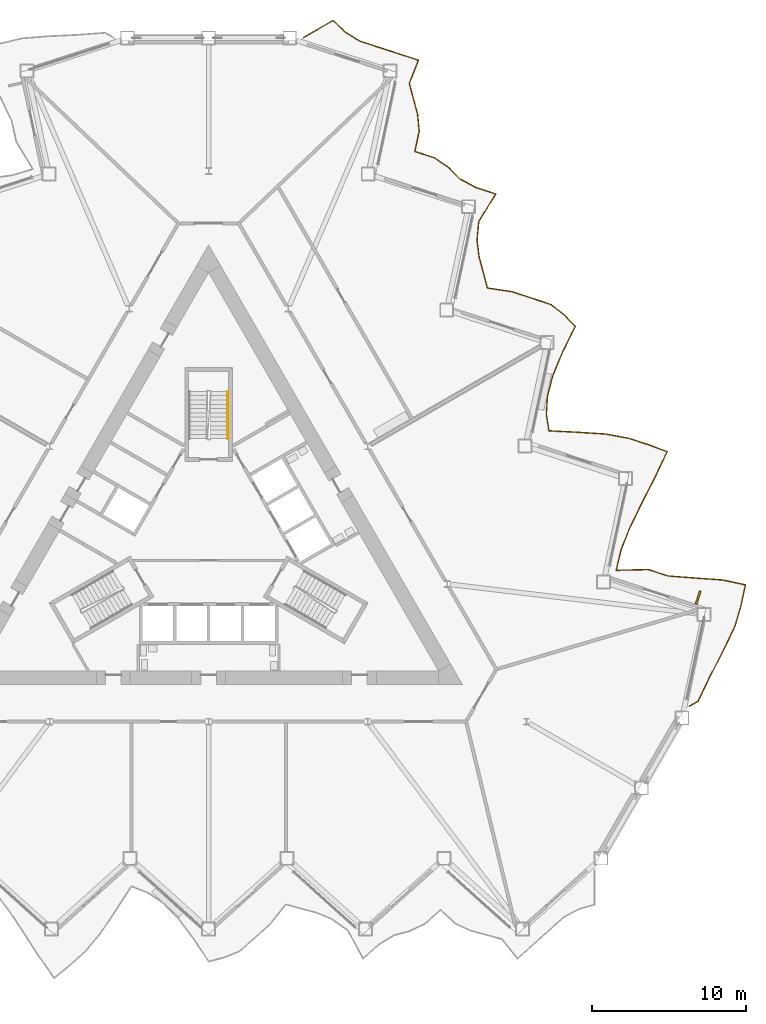
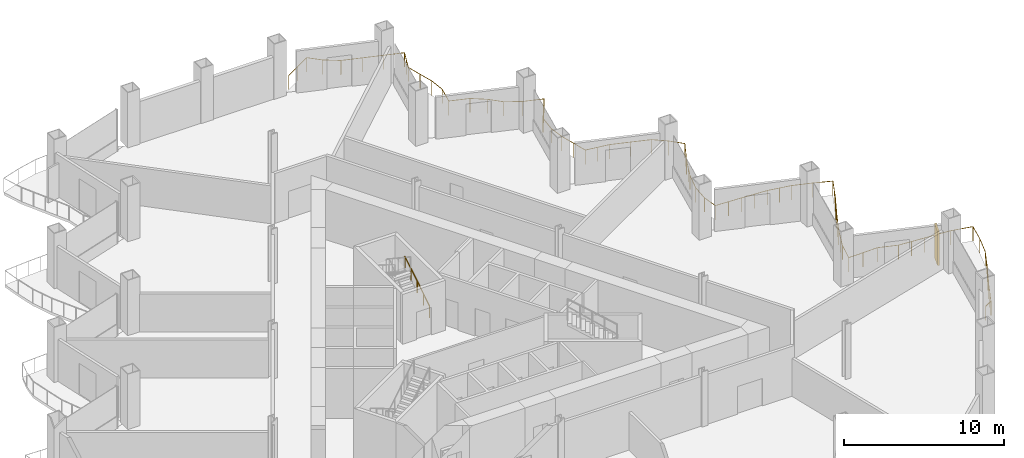
# One storey, part 19 of 21: 2 railings, 1 shading device.
"""IFC4 building model written with IfcOpenShell, lengths in metres."""

import ifcopenshell
import ifcopenshell.guid

model = None  # the IFC model being written
_history = None  # IfcOwnerHistory: only IFC2X3 demands one
_inside = {}  # id of a spatial element -> (the spatial element, [elements in it])
_under = {}  # id of a project, library or spatial element -> (it, [spatial elements below it])
_declared = {}  # id of a project -> (the project, [libraries it declares])
_typed = {}  # id of a type object -> (the type object, [elements of that type])
_made_of = {}  # id of a material, layer set ... -> (it, [elements and type objects made of it])


def new_model(schema):
    """Start an empty IFC model of exactly this schema.

    Asked for "IFC4X3", IfcOpenShell would pick the latest addendum, in which some entities
    have other attributes; the version numbers below select the first issue.
    IFC2X3 requires an IfcOwnerHistory on every rooted entity: one is made here for all.
    """
    global model, _history
    if schema == "IFC4X3":
        model = ifcopenshell.file(schema_version=(4, 3, 0, 0))
    else:
        model = ifcopenshell.file(schema=schema)
    _inside.clear()
    _under.clear()
    _declared.clear()
    _typed.clear()
    _made_of.clear()
    _history = None
    if model.schema == "IFC2X3":
        org = make("IfcOrganization", Name="unknown")
        user = make(
            "IfcPersonAndOrganization",
            ThePerson=make("IfcPerson", FamilyName="unknown"),
            TheOrganization=org,
        )
        app = make(
            "IfcApplication",
            ApplicationDeveloper=org,
            Version="unknown",
            ApplicationFullName="unknown",
            ApplicationIdentifier="unknown",
        )
        _history = make(
            "IfcOwnerHistory",
            OwningUser=user,
            OwningApplication=app,
            ChangeAction="ADDED",
            CreationDate=0,
        )
    return model


def make(cls, **values):
    """One entity of the class cls with the attributes given. An attribute that is None is left unset."""
    return model.create_entity(
        cls, **{name: value for name, value in values.items() if value is not None}
    )


def rooted(cls, **values):
    """An entity with a GlobalId (a new one), such as an element, a storey or a relation."""
    return make(cls, GlobalId=ifcopenshell.guid.new(), OwnerHistory=_history, **values)


def si_unit(unit_type, name, prefix=None):
    """IfcSIUnit, for example si_unit("LENGTHUNIT", "METRE", prefix="MILLI")."""
    return make("IfcSIUnit", UnitType=unit_type, Prefix=prefix, Name=name)


def assignment(units):
    """IfcUnitAssignment: the units of a project."""
    return None if units is None else make("IfcUnitAssignment", Units=units)


def point(xyz):
    """IfcCartesianPoint."""
    return None if xyz is None else make("IfcCartesianPoint", Coordinates=xyz)


def direction(xyz):
    """IfcDirection."""
    return None if xyz is None else make("IfcDirection", DirectionRatios=xyz)


def frame(location, z_axis=None, x_axis=None):
    """IfcAxis2Placement3D, a coordinate frame: its origin and axes. An axis left out is left unset."""
    return make(
        "IfcAxis2Placement3D",
        Location=point(location),
        Axis=direction(z_axis),
        RefDirection=direction(x_axis),
    )


def frame_2d(location, x_axis=None):
    """IfcAxis2Placement2D, a coordinate frame in the plane: its origin and x axis."""
    return make(
        "IfcAxis2Placement2D", Location=point(location), RefDirection=direction(x_axis)
    )


def origin():
    """The frame at (0, 0, 0) with its axes left unset."""
    return frame((0.0, 0.0, 0.0))


def origin_2d():
    """The frame at (0, 0) in the plane with its x axis left unset."""
    return frame_2d((0.0, 0.0))


def place(relative_to, where):
    """IfcLocalPlacement: puts the frame where relative to a parent placement (None: the world)."""
    return make(
        "IfcLocalPlacement", PlacementRelTo=relative_to, RelativePlacement=where
    )


def context(
    kind, dimensions, precision=None, world=None, true_north=None, identifier=None
):
    """IfcGeometricRepresentationContext, for example the 3D "Model" context."""
    return make(
        "IfcGeometricRepresentationContext",
        ContextIdentifier=identifier,
        ContextType=kind,
        CoordinateSpaceDimension=dimensions,
        Precision=precision,
        WorldCoordinateSystem=world,
        TrueNorth=true_north,
    )


def subcontext(parent, identifier, kind, view, scale=None):
    """IfcGeometricRepresentationSubContext, for example "Body" below "Model"."""
    return make(
        "IfcGeometricRepresentationSubContext",
        ContextIdentifier=identifier,
        ContextType=kind,
        ParentContext=parent,
        TargetScale=scale,
        TargetView=view,
    )


def project(units=None, contexts=None):
    """IfcProject with its units and contexts."""
    return rooted(
        "IfcProject",
        Name="project",
        RepresentationContexts=contexts,
        UnitsInContext=assignment(units),
    )


def spatial(cls, under=None, at=None, **own):
    """A site, building, storey or space (cls), placed at a placement, below another one or the project."""
    s = rooted(cls, ObjectPlacement=at, **own)
    if under is not None:
        _under.setdefault(under.id(), (under, []))[1].append(s)
    return s


def profile(cls, at=None, kind="AREA", **sizes):
    """A parametric profile (cls). Its sizes go by their IFC names, for example OverallWidth=200.0."""
    return make(cls, ProfileType=kind, Position=at, **sizes)


def rectangle(**sizes):
    """IfcRectangleProfileDef."""
    return profile("IfcRectangleProfileDef", **sizes)


def circle(**sizes):
    """IfcCircleProfileDef."""
    return profile("IfcCircleProfileDef", **sizes)


def extrude(swept, where, along, depth):
    """IfcExtrudedAreaSolid: the profile swept, set in the frame where, extruded along a direction by depth."""
    return make(
        "IfcExtrudedAreaSolid",
        SweptArea=swept,
        Position=where,
        ExtrudedDirection=direction(along),
        Depth=depth,
    )


def shape(context_of_items, identifier, shape_type, items):
    """IfcShapeRepresentation: the items that make up one representation, for example the "Body"."""
    return make(
        "IfcShapeRepresentation",
        ContextOfItems=context_of_items,
        RepresentationIdentifier=identifier,
        RepresentationType=shape_type,
        Items=items,
    )


def material(Name=None, Category=None):
    """IfcMaterial."""
    return make("IfcMaterial", Name=Name, Category=Category)


def layer(
    of_material, thickness, ventilated=None, Name=None, Category=None, Priority=None
):
    """IfcMaterialLayer: one layer of a wall or slab, of a material (None: an air gap)."""
    return make(
        "IfcMaterialLayer",
        Material=of_material,
        LayerThickness=thickness,
        IsVentilated=ventilated,
        Name=Name,
        Category=Category,
        Priority=Priority,
    )


def layer_set(layers, Name=None):
    """IfcMaterialLayerSet."""
    return make("IfcMaterialLayerSet", MaterialLayers=layers, LayerSetName=Name)


def made_of(thing, what):
    """Note that an element or type object is made of a material, layer set ...; save() writes the relation."""
    if what is not None:
        _made_of.setdefault(what.id(), (what, []))[1].append(thing)
    return thing


def type_object(cls, material=None, **own):
    """A type object (cls), such as IfcWallType, which elements share."""
    return made_of(rooted(cls, **own), material)


def element(
    cls,
    number,
    at=None,
    inside=None,
    cuts=None,
    type_object=None,
    material=None,
    context=None,
    identifier="Body",
    shape_type=None,
    held_by="IfcProductDefinitionShape",
    body=None,
    shapes=None,
    **own,
):
    """One element of the class cls, such as IfcWall. Its Tag is "e" and its number.

    at: its placement. inside: the storey or other place that contains it. cuts: it is an
    opening in that element (IfcRelVoidsElement). A single representation is given by context,
    identifier, shape_type and body (its items); several are given by shapes. held_by: the class
    of the entity that holds the representations. save() writes the other relations.
    """
    e = rooted(cls, Tag="e%d" % number, ObjectPlacement=at, **own)
    if body is not None:
        shapes = [shape(context, identifier, shape_type, body)]
    if shapes is not None:
        e.Representation = make(held_by, Representations=shapes)
    if inside is not None:
        _inside.setdefault(inside.id(), (inside, []))[1].append(e)
    if cuts is not None:
        rooted(
            "IfcRelVoidsElement", RelatingBuildingElement=cuts, RelatedOpeningElement=e
        )
    if type_object is not None:
        _typed.setdefault(type_object.id(), (type_object, []))[1].append(e)
    return made_of(e, material)


def aggregate(whole, parts):
    """IfcRelAggregates: a whole, such as a stair, and the parts it consists of."""
    return rooted("IfcRelAggregates", RelatingObject=whole, RelatedObjects=parts)


def save(model, path):
    """Write the relations noted so far, then the file.

    IfcRelAggregates (storeys below a building ...), IfcRelContainedInSpatialStructure (elements
    in a storey), IfcRelDefinesByType, IfcRelAssociatesMaterial and IfcRelDeclares: one each for
    every whole, place, type object, material and project.
    """
    for whole, parts in _under.values():
        aggregate(whole, parts)
    for where, things in _inside.values():
        rooted(
            "IfcRelContainedInSpatialStructure",
            RelatedElements=things,
            RelatingStructure=where,
        )
    for kind, things in _typed.values():
        rooted("IfcRelDefinesByType", RelatedObjects=things, RelatingType=kind)
    for what, things in _made_of.values():
        rooted("IfcRelAssociatesMaterial", RelatedObjects=things, RelatingMaterial=what)
    for by, libraries in _declared.values():
        rooted("IfcRelDeclares", RelatingContext=by, RelatedDefinitions=libraries)
    model.write(path)


model = new_model("IFC4")

# Units and contexts
model_context = context("Model", 3, precision=1e-05, world=origin(), true_north=direction((0.0, 1.0)))
body_context = subcontext(model_context, "Body", "Model", "MODEL_VIEW")
ifc_project = project(units=[si_unit("LENGTHUNIT", "METRE"), si_unit("AREAUNIT", "SQUARE_METRE"), si_unit("VOLUMEUNIT", "CUBIC_METRE"), si_unit("PLANEANGLEUNIT", "RADIAN"), si_unit("MASSUNIT", "GRAM", prefix="KILO")], contexts=[model_context])

# Site, building, storey
site_placement = place(None, origin())
site = spatial("IfcSite", under=ifc_project, at=site_placement, CompositionType="ELEMENT")
building_placement = place(site_placement, origin())
building = spatial("IfcBuilding", under=site, at=building_placement, Name="Cormorant Prow Tower", CompositionType="ELEMENT")
storey_placement = place(building_placement, frame((0.0, 0.0, 120.60009765625)))
storey = spatial("IfcBuildingStorey", under=building, at=storey_placement, Name="L25", CompositionType="ELEMENT", Elevation=120.60009765625)

# Railings
ifc_material_1 = material(Name="Aluminium 6063-T6", Category="aluminium")
railing_type_1 = type_object("IfcRailingType", Name="Balcony guard 1100", PredefinedType="GUARDRAIL", material=ifc_material_1)
railing_1_placement = place(storey_placement, frame((31.255859375, -10.926025390625, 0.0)))
element("IfcRailing", 1, at=railing_1_placement, inside=storey, type_object=railing_type_1, Name="Balcony guard ENE", PredefinedType="GUARDRAIL", context=body_context, shape_type="SweptSolid", body=[
    extrude(circle(Radius=0.02392578125, at=origin_2d()), frame((0.0, 0.0, 1.076171875), z_axis=(0.866038622153, 0.499977104415, 0.0), x_axis=(-0.499977104415, 0.866038622153, 0.0)), (0.0, 0.0, 1.0), 0.63623046875),
    extrude(circle(Radius=0.02392578125, at=origin_2d()), frame((0.551025390625, 0.318115234375, 1.076171875), z_axis=(0.43395568951, 0.90093421488, 0.0), x_axis=(-0.90093421488, 0.43395568951, 0.0)), (0.0, 0.0, 1.0), 1.78173828125),
    extrude(circle(Radius=0.02392578125, at=origin_2d()), frame((1.32421875, 1.92333984375, 1.076171875), z_axis=(0.457404553014, 0.889258722129, 0.0), x_axis=(-0.889258722129, 0.457404553014, 0.0)), (0.0, 0.0, 1.0), 1.853759765625),
    extrude(circle(Radius=0.02392578125, at=origin_2d()), frame((2.172119140625, 3.57177734375, 1.076171875), z_axis=(0.431975796772, 0.90188519835, 0.0), x_axis=(-0.90188519835, 0.431975796772, 0.0)), (0.0, 0.0, 1.0), 1.7763671875),
    extrude(circle(Radius=0.02392578125, at=origin_2d()), frame((2.939453125, 5.173828125, 1.076171875), z_axis=(0.281611693619, 0.95952845399, 0.0), x_axis=(-0.95952845399, 0.281611693619, 0.0)), (0.0, 0.0, 1.0), 1.453857421875),
    extrude(circle(Radius=0.02392578125, at=origin_2d()), frame((3.348876953125, 6.56884765625, 1.076171875), z_axis=(0.207886861883, 0.978152877957, 0.0), x_axis=(-0.978152877957, 0.207886861883, 0.0)), (0.0, 0.0, 1.0), 1.3505859375),
    extrude(circle(Radius=0.02392578125, at=origin_2d()), frame((3.629638671875, 7.889892578125, 1.076171875), z_axis=(-0.977372167064, 0.211526941659, 0.0), x_axis=(-0.211526941659, -0.977372167064, 0.0)), (0.0, 0.0, 1.0), 1.493408203125),
    extrude(circle(Radius=0.02392578125, at=origin_2d()), frame((2.169921875, 8.205810546875, 1.076171875), z_axis=(-0.997497959501, 0.070695267101, 0.0), x_axis=(-0.070695267101, -0.997497959501, 0.0)), (0.0, 0.0, 1.0), 1.792236328125),
    extrude(circle(Radius=0.02392578125, at=origin_2d()), frame((0.382080078125, 8.33251953125, 1.076171875), z_axis=(-0.997149728918, 0.075448115409, 0.0), x_axis=(-0.075448115409, -0.997149728918, 0.0)), (0.0, 0.0, 1.0), 1.77978515625),
    extrude(circle(Radius=0.02392578125, at=origin_2d()), frame((-1.392578125, 8.466796875, 1.076171875), z_axis=(-0.951024769283, 0.309114684561, 0.0), x_axis=(-0.309114684561, -0.951024769283, 0.0)), (0.0, 0.0, 1.0), 1.3505859375),
    extrude(circle(Radius=0.02392578125, at=origin_2d()), frame((-2.677001953125, 8.88427734375, 1.076171875), z_axis=(-0.999758175255, -0.021990702814, 0.0), x_axis=(0.021990702814, -0.999758175255, 0.0)), (0.0, 0.0, 1.0), 2.087158203125),
    extrude(circle(Radius=0.02392578125, at=origin_2d()), frame((-4.763671875, 8.83837890625, 1.076171875), z_axis=(0.232169895877, 0.972675248708, 0.0), x_axis=(-0.972675248708, 0.232169895877, 0.0)), (0.0, 0.0, 1.0), 1.3818359375),
    extrude(circle(Radius=0.02392578125, at=origin_2d()), frame((-4.44287109375, 10.182373046875, 1.076171875), z_axis=(0.371001399751, 0.928632306881, 0.0), x_axis=(-0.928632306881, 0.371001399751, 0.0)), (0.0, 0.0, 1.0), 1.6220703125),
    extrude(circle(Radius=0.02392578125, at=origin_2d()), frame((-3.841064453125, 11.688720703125, 1.076171875), z_axis=(0.440752592338, 0.897628627188, 0.0), x_axis=(-0.897628627188, 0.440752592338, 0.0)), (0.0, 0.0, 1.0), 1.802001953125),
    extrude(circle(Radius=0.02392578125, at=origin_2d()), frame((-3.046875, 13.30615234375, 1.076171875), z_axis=(0.456734184833, 0.889603217398, 0.0), x_axis=(-0.889603217398, 0.456734184833, 0.0)), (0.0, 0.0, 1.0), 1.8515625),
    extrude(circle(Radius=0.02392578125, at=origin_2d()), frame((-2.201171875, 14.953369140625, 1.076171875), z_axis=(0.423709079237, 0.905798330851, 0.0), x_axis=(-0.905798330851, 0.423709079237, 0.0)), (0.0, 0.0, 1.0), 1.752197265625),
    extrude(circle(Radius=0.02392578125, at=origin_2d()), frame((-1.458740234375, 16.54052734375, 1.076171875), z_axis=(-0.935577093691, 0.353122502485, 0.0), x_axis=(-0.353122502485, -0.935577093691, 0.0)), (0.0, 0.0, 1.0), 1.297607421875),
    extrude(circle(Radius=0.02392578125, at=origin_2d()), frame((-2.6728515625, 16.998779296875, 1.076171875), z_axis=(-0.951077899841, 0.308951174839, 0.0), x_axis=(-0.308951174839, -0.951077899841, 0.0)), (0.0, 0.0, 1.0), 1.3505859375),
    extrude(circle(Radius=0.02392578125, at=origin_2d()), frame((-3.957275390625, 17.416015625, 1.076171875), z_axis=(-0.983862355577, 0.178926983092, 0.0), x_axis=(-0.178926983092, -0.983862355577, 0.0)), (0.0, 0.0, 1.0), 1.551513671875),
    extrude(circle(Radius=0.02392578125, at=origin_2d()), frame((-5.483642578125, 17.693603515625, 1.076171875), z_axis=(-0.997964521348, 0.063771577762, 0.0), x_axis=(-0.063771577762, -0.997964521348, 0.0)), (0.0, 0.0, 1.0), 1.810791015625),
    extrude(circle(Radius=0.02392578125, at=origin_2d()), frame((-7.290771484375, 17.80908203125, 1.076171875), z_axis=(-0.99874739551, 0.050036386371, 0.0), x_axis=(-0.050036386371, -0.99874739551, 0.0)), (0.0, 0.0, 1.0), 1.84912109375),
    extrude(circle(Radius=0.02392578125, at=origin_2d()), frame((-9.1376953125, 17.901611328125, 1.076171875), z_axis=(-0.155041618238, 0.987907939342, 0.0), x_axis=(-0.987907939342, -0.155041618238, 0.0)), (0.0, 0.0, 1.0), 1.075439453125),
    extrude(circle(Radius=0.02392578125, at=origin_2d()), frame((-9.304443359375, 18.964111328125, 1.076171875), z_axis=(0.058900613836, 0.998263851739, 0.0), x_axis=(-0.998263851739, 0.058900613836, 0.0)), (0.0, 0.0, 1.0), 1.2021484375),
    extrude(circle(Radius=0.02392578125, at=origin_2d()), frame((-9.233642578125, 20.1640625, 1.076171875), z_axis=(0.258337459787, 0.96605473803, 0.0), x_axis=(-0.96605473803, 0.258337459787, 0.0)), (0.0, 0.0, 1.0), 1.41845703125),
    extrude(circle(Radius=0.02392578125, at=origin_2d()), frame((-8.8671875, 21.534423828125, 1.076171875), z_axis=(0.385662338184, 0.922639995289, 0.0), x_axis=(-0.922639995289, 0.385662338184, 0.0)), (0.0, 0.0, 1.0), 1.655517578125),
    extrude(circle(Radius=0.02392578125, at=origin_2d()), frame((-8.228759765625, 23.061767578125, 1.076171875), z_axis=(0.446354499112, 0.894856223716, 0.0), x_axis=(-0.894856223716, 0.446354499112, 0.0)), (0.0, 0.0, 1.0), 1.819091796875),
    extrude(circle(Radius=0.02392578125, at=origin_2d()), frame((-7.416748046875, 24.689697265625, 1.076171875), z_axis=(-0.700003093653, 0.714139810455, 0.0), x_axis=(-0.714139810455, -0.700003093653, 0.0)), (0.0, 0.0, 1.0), 1.0361328125),
    extrude(circle(Radius=0.02392578125, at=origin_2d()), frame((-8.14208984375, 25.4296875, 1.076171875), z_axis=(-0.786866312504, 0.617123493513, 0.0), x_axis=(-0.617123493513, -0.786866312504, 0.0)), (0.0, 0.0, 1.0), 1.08154296875),
    extrude(circle(Radius=0.02392578125, at=origin_2d()), frame((-8.9931640625, 26.09716796875, 1.076171875), z_axis=(-0.947415465618, 0.320006149173, 0.0), x_axis=(-0.320006149173, -0.947415465618, 0.0)), (0.0, 0.0, 1.0), 1.336669921875),
    extrude(circle(Radius=0.02392578125, at=origin_2d()), frame((-10.259521484375, 26.52490234375, 1.076171875), z_axis=(-0.951077899841, 0.308951174839, 0.0), x_axis=(-0.308951174839, -0.951077899841, 0.0)), (0.0, 0.0, 1.0), 1.3505859375),
    extrude(circle(Radius=0.02392578125, at=origin_2d()), frame((-11.5439453125, 26.942138671875, 1.076171875), z_axis=(-0.989210766763, 0.146499347852, 0.0), x_axis=(-0.146499347852, -0.989210766763, 0.0)), (0.0, 0.0, 1.0), 1.61474609375),
    extrude(circle(Radius=0.02392578125, at=origin_2d()), frame((-13.141357421875, 27.1787109375, 1.076171875), z_axis=(-0.247823024383, 0.968805320271, 0.0), x_axis=(-0.968805320271, -0.247823024383, 0.0)), (0.0, 0.0, 1.0), 1.042236328125),
    extrude(circle(Radius=0.02392578125, at=origin_2d()), frame((-13.399658203125, 28.1884765625, 1.076171875), z_axis=(-0.26379434014, 0.964578947578, 0.0), x_axis=(-0.964578947578, -0.26379434014, 0.0)), (0.0, 0.0, 1.0), 1.03759765625),
    extrude(circle(Radius=0.02392578125, at=origin_2d()), frame((-13.67333984375, 29.189208984375, 1.076171875), z_axis=(-0.1260496164, 0.992023938323, 0.0), x_axis=(-0.992023938323, -0.1260496164, 0.0)), (0.0, 0.0, 1.0), 1.088623046875),
    extrude(circle(Radius=0.02392578125, at=origin_2d()), frame((-13.810546875, 30.26904296875, 1.076171875), z_axis=(0.092701173537, 0.995693975288, 0.0), x_axis=(-0.995693975288, 0.092701173537, 0.0)), (0.0, 0.0, 1.0), 1.22998046875),
    extrude(circle(Radius=0.02392578125, at=origin_2d()), frame((-13.696533203125, 31.49365234375, 1.076171875), z_axis=(0.523412097914, 0.852079676883, 0.0), x_axis=(-0.852079676883, 0.523412097914, 0.0)), (0.0, 0.0, 1.0), 2.107421875),
    extrude(circle(Radius=0.02392578125, at=origin_2d()), frame((-12.593505859375, 33.289306640625, 1.076171875), z_axis=(-0.951024769283, 0.309114684561, 0.0), x_axis=(-0.309114684561, -0.951024769283, 0.0)), (0.0, 0.0, 1.0), 1.3505859375),
    extrude(circle(Radius=0.02392578125, at=origin_2d()), frame((-13.8779296875, 33.706787109375, 1.076171875), z_axis=(-0.880391324152, 0.474247948185, 0.0), x_axis=(-0.474247948185, -0.880391324152, 0.0)), (0.0, 0.0, 1.0), 1.179443359375),
    extrude(circle(Radius=0.02392578125, at=origin_2d()), frame((-14.916259765625, 34.26611328125, 1.076171875), z_axis=(-0.707224250539, 0.706989292316, 0.0), x_axis=(-0.706989292316, -0.707224250539, 0.0)), (0.0, 0.0, 1.0), 1.0390625),
    extrude(circle(Radius=0.02392578125, at=origin_2d()), frame((-15.651123046875, 35.000732421875, 1.076171875), z_axis=(-0.821263959786, 0.570548427705, 0.0), x_axis=(-0.570548427705, -0.821263959786, 0.0)), (0.0, 0.0, 1.0), 1.109130859375),
    extrude(circle(Radius=0.02392578125, at=origin_2d()), frame((-16.56201171875, 35.633544921875, 1.076171875), z_axis=(-0.951024769283, 0.309114684561, 0.0), x_axis=(-0.309114684561, -0.951024769283, 0.0)), (0.0, 0.0, 1.0), 1.3505859375),
    extrude(circle(Radius=0.02392578125, at=origin_2d()), frame((-17.846435546875, 36.051025390625, 1.076171875), z_axis=(0.207923627178, 0.978145063506, 0.0), x_axis=(-0.978145063506, 0.207923627178, 0.0)), (0.0, 0.0, 1.0), 1.350341796875),
    extrude(circle(Radius=0.02392578125, at=origin_2d()), frame((-17.565673828125, 37.371826171875, 1.076171875), z_axis=(-0.09722302852, 0.995262619978, 0.0), x_axis=(-0.995262619978, -0.09722302852, 0.0)), (0.0, 0.0, 1.0), 1.102294921875),
    extrude(circle(Radius=0.02392578125, at=origin_2d()), frame((-17.6728515625, 38.468994140625, 1.076171875), z_axis=(-0.260529971324, 0.96546576016, 0.0), x_axis=(-0.96546576016, -0.260529971324, 0.0)), (0.0, 0.0, 1.0), 1.038330078125),
    extrude(circle(Radius=0.02392578125, at=origin_2d()), frame((-17.943359375, 39.471435546875, 1.076171875), z_axis=(-0.2523455211, 0.967637193364, 0.0), x_axis=(-0.967637193364, -0.2523455211, 0.0)), (0.0, 0.0, 1.0), 1.041015625),
    extrude(circle(Radius=0.02392578125, at=origin_2d()), frame((-18.2060546875, 40.478759765625, 1.076171875), z_axis=(0.36802667309, 0.929815233202, 0.0), x_axis=(-0.929815233202, 0.36802667309, 0.0)), (0.0, 0.0, 1.0), 1.615234375),
    extrude(circle(Radius=0.02392578125, at=origin_2d()), frame((-17.611572265625, 41.980712890625, 1.076171875), z_axis=(-0.951024769283, 0.309114684561, 0.0), x_axis=(-0.309114684561, -0.951024769283, 0.0)), (0.0, 0.0, 1.0), 1.3505859375),
    extrude(circle(Radius=0.02392578125, at=origin_2d()), frame((-18.89599609375, 42.398193359375, 1.076171875), z_axis=(-0.951077899841, 0.308951174839, 0.0), x_axis=(-0.308951174839, -0.951077899841, 0.0)), (0.0, 0.0, 1.0), 1.3505859375),
    extrude(circle(Radius=0.02392578125, at=origin_2d()), frame((-20.180419921875, 42.8154296875, 1.076171875), z_axis=(-0.951024769283, 0.309114684561, 0.0), x_axis=(-0.309114684561, -0.951024769283, 0.0)), (0.0, 0.0, 1.0), 1.3505859375),
    extrude(circle(Radius=0.02392578125, at=origin_2d()), frame((-21.46484375, 43.23291015625, 1.076171875), z_axis=(-0.841697789275, 0.539948915667, 0.0), x_axis=(-0.539948915667, -0.841697789275, 0.0)), (0.0, 0.0, 1.0), 1.12939453125),
    extrude(circle(Radius=0.02392578125, at=origin_2d()), frame((-22.41552734375, 43.8427734375, 1.076171875), z_axis=(-0.717329509152, 0.696734077894, 0.0), x_axis=(-0.696734077894, -0.717329509152, 0.0)), (0.0, 0.0, 1.0), 1.043212890625),
    extrude(circle(Radius=0.02392578125, at=origin_2d()), frame((-23.163818359375, 44.569580078125, 1.076171875), z_axis=(-0.866039359181, -0.499975827765, 0.0), x_axis=(0.499975827765, -0.866039359181, 0.0)), (0.0, 0.0, 1.0), 2.22412109375),
    extrude(circle(Radius=0.02099609375, at=origin_2d()), origin(), (0.0, 0.0, 1.0), 1.052001953125),
    extrude(circle(Radius=0.02099609375, at=origin_2d()), frame((0.551025390625, 0.318115234375, 0.0)), (0.0, 0.0, 1.0), 1.052001953125),
    extrude(circle(Radius=0.02099609375, at=origin_2d()), frame((0.9375, 1.12060546875, 0.0)), (0.0, 0.0, 1.0), 1.052001953125),
    extrude(circle(Radius=0.02099609375, at=origin_2d()), frame((1.32421875, 1.92333984375, 0.0)), (0.0, 0.0, 1.0), 1.052001953125),
    extrude(circle(Radius=0.02099609375, at=origin_2d()), frame((1.748046875, 2.74755859375, 0.0)), (0.0, 0.0, 1.0), 1.052001953125),
    extrude(circle(Radius=0.02099609375, at=origin_2d()), frame((2.172119140625, 3.57177734375, 0.0)), (0.0, 0.0, 1.0), 1.052001953125),
    extrude(circle(Radius=0.02099609375, at=origin_2d()), frame((2.5556640625, 4.372802734375, 0.0)), (0.0, 0.0, 1.0), 1.052001953125),
    extrude(circle(Radius=0.02099609375, at=origin_2d()), frame((2.939453125, 5.173828125, 0.0)), (0.0, 0.0, 1.0), 1.052001953125),
    extrude(circle(Radius=0.02099609375, at=origin_2d()), frame((3.348876953125, 6.56884765625, 0.0)), (0.0, 0.0, 1.0), 1.052001953125),
    extrude(circle(Radius=0.02099609375, at=origin_2d()), frame((3.629638671875, 7.889892578125, 0.0)), (0.0, 0.0, 1.0), 1.052001953125),
    extrude(circle(Radius=0.02099609375, at=origin_2d()), frame((2.169921875, 8.205810546875, 0.0)), (0.0, 0.0, 1.0), 1.052001953125),
    extrude(circle(Radius=0.02099609375, at=origin_2d()), frame((1.27587890625, 8.26904296875, 0.0)), (0.0, 0.0, 1.0), 1.052001953125),
    extrude(circle(Radius=0.02099609375, at=origin_2d()), frame((0.382080078125, 8.33251953125, 0.0)), (0.0, 0.0, 1.0), 1.052001953125),
    extrude(circle(Radius=0.02099609375, at=origin_2d()), frame((-0.50537109375, 8.399658203125, 0.0)), (0.0, 0.0, 1.0), 1.052001953125),
    extrude(circle(Radius=0.02099609375, at=origin_2d()), frame((-1.392578125, 8.466796875, 0.0)), (0.0, 0.0, 1.0), 1.052001953125),
    extrude(circle(Radius=0.02099609375, at=origin_2d()), frame((-2.677001953125, 8.88427734375, 0.0)), (0.0, 0.0, 1.0), 1.052001953125),
    extrude(circle(Radius=0.02099609375, at=origin_2d()), frame((-3.72021484375, 8.861328125, 0.0)), (0.0, 0.0, 1.0), 1.052001953125),
    extrude(circle(Radius=0.02099609375, at=origin_2d()), frame((-4.763671875, 8.83837890625, 0.0)), (0.0, 0.0, 1.0), 1.052001953125),
    extrude(circle(Radius=0.02099609375, at=origin_2d()), frame((-4.44287109375, 10.182373046875, 0.0)), (0.0, 0.0, 1.0), 1.052001953125),
    extrude(circle(Radius=0.02099609375, at=origin_2d()), frame((-4.14208984375, 10.935546875, 0.0)), (0.0, 0.0, 1.0), 1.052001953125),
    extrude(circle(Radius=0.02099609375, at=origin_2d()), frame((-3.841064453125, 11.688720703125, 0.0)), (0.0, 0.0, 1.0), 1.052001953125),
    extrude(circle(Radius=0.02099609375, at=origin_2d()), frame((-3.44384765625, 12.49755859375, 0.0)), (0.0, 0.0, 1.0), 1.052001953125),
    extrude(circle(Radius=0.02099609375, at=origin_2d()), frame((-3.046875, 13.30615234375, 0.0)), (0.0, 0.0, 1.0), 1.052001953125),
    extrude(circle(Radius=0.02099609375, at=origin_2d()), frame((-2.6240234375, 14.1298828125, 0.0)), (0.0, 0.0, 1.0), 1.052001953125),
    extrude(circle(Radius=0.02099609375, at=origin_2d()), frame((-2.201171875, 14.953369140625, 0.0)), (0.0, 0.0, 1.0), 1.052001953125),
    extrude(circle(Radius=0.02099609375, at=origin_2d()), frame((-1.830078125, 15.7470703125, 0.0)), (0.0, 0.0, 1.0), 1.052001953125),
    extrude(circle(Radius=0.02099609375, at=origin_2d()), frame((-1.458740234375, 16.54052734375, 0.0)), (0.0, 0.0, 1.0), 1.052001953125),
    extrude(circle(Radius=0.02099609375, at=origin_2d()), frame((-2.6728515625, 16.998779296875, 0.0)), (0.0, 0.0, 1.0), 1.052001953125),
    extrude(circle(Radius=0.02099609375, at=origin_2d()), frame((-3.957275390625, 17.416015625, 0.0)), (0.0, 0.0, 1.0), 1.052001953125),
    extrude(circle(Radius=0.02099609375, at=origin_2d()), frame((-4.720458984375, 17.5546875, 0.0)), (0.0, 0.0, 1.0), 1.052001953125),
    extrude(circle(Radius=0.02099609375, at=origin_2d()), frame((-5.483642578125, 17.693603515625, 0.0)), (0.0, 0.0, 1.0), 1.052001953125),
    extrude(circle(Radius=0.02099609375, at=origin_2d()), frame((-6.38720703125, 17.75146484375, 0.0)), (0.0, 0.0, 1.0), 1.052001953125),
    extrude(circle(Radius=0.02099609375, at=origin_2d()), frame((-7.290771484375, 17.80908203125, 0.0)), (0.0, 0.0, 1.0), 1.052001953125),
    extrude(circle(Radius=0.02099609375, at=origin_2d()), frame((-8.21435546875, 17.85546875, 0.0)), (0.0, 0.0, 1.0), 1.052001953125),
    extrude(circle(Radius=0.02099609375, at=origin_2d()), frame((-9.1376953125, 17.901611328125, 0.0)), (0.0, 0.0, 1.0), 1.052001953125),
    extrude(circle(Radius=0.02099609375, at=origin_2d()), frame((-9.304443359375, 18.964111328125, 0.0)), (0.0, 0.0, 1.0), 1.052001953125),
    extrude(circle(Radius=0.02099609375, at=origin_2d()), frame((-9.233642578125, 20.1640625, 0.0)), (0.0, 0.0, 1.0), 1.052001953125),
    extrude(circle(Radius=0.02099609375, at=origin_2d()), frame((-8.8671875, 21.534423828125, 0.0)), (0.0, 0.0, 1.0), 1.052001953125),
    extrude(circle(Radius=0.02099609375, at=origin_2d()), frame((-8.5478515625, 22.298095703125, 0.0)), (0.0, 0.0, 1.0), 1.052001953125),
    extrude(circle(Radius=0.02099609375, at=origin_2d()), frame((-8.228759765625, 23.061767578125, 0.0)), (0.0, 0.0, 1.0), 1.052001953125),
    extrude(circle(Radius=0.02099609375, at=origin_2d()), frame((-7.82275390625, 23.875732421875, 0.0)), (0.0, 0.0, 1.0), 1.052001953125),
    extrude(circle(Radius=0.02099609375, at=origin_2d()), frame((-7.416748046875, 24.689697265625, 0.0)), (0.0, 0.0, 1.0), 1.052001953125),
    extrude(circle(Radius=0.02099609375, at=origin_2d()), frame((-8.14208984375, 25.4296875, 0.0)), (0.0, 0.0, 1.0), 1.052001953125),
    extrude(circle(Radius=0.02099609375, at=origin_2d()), frame((-8.9931640625, 26.09716796875, 0.0)), (0.0, 0.0, 1.0), 1.052001953125),
    extrude(circle(Radius=0.02099609375, at=origin_2d()), frame((-10.259521484375, 26.52490234375, 0.0)), (0.0, 0.0, 1.0), 1.052001953125),
    extrude(circle(Radius=0.02099609375, at=origin_2d()), frame((-11.5439453125, 26.942138671875, 0.0)), (0.0, 0.0, 1.0), 1.052001953125),
    extrude(circle(Radius=0.02099609375, at=origin_2d()), frame((-12.3427734375, 27.060546875, 0.0)), (0.0, 0.0, 1.0), 1.052001953125),
    extrude(circle(Radius=0.02099609375, at=origin_2d()), frame((-13.141357421875, 27.1787109375, 0.0)), (0.0, 0.0, 1.0), 1.052001953125),
    extrude(circle(Radius=0.02099609375, at=origin_2d()), frame((-13.399658203125, 28.1884765625, 0.0)), (0.0, 0.0, 1.0), 1.052001953125),
    extrude(circle(Radius=0.02099609375, at=origin_2d()), frame((-13.67333984375, 29.189208984375, 0.0)), (0.0, 0.0, 1.0), 1.052001953125),
    extrude(circle(Radius=0.02099609375, at=origin_2d()), frame((-13.810546875, 30.26904296875, 0.0)), (0.0, 0.0, 1.0), 1.052001953125),
    extrude(circle(Radius=0.02099609375, at=origin_2d()), frame((-13.696533203125, 31.49365234375, 0.0)), (0.0, 0.0, 1.0), 1.052001953125),
    extrude(circle(Radius=0.02099609375, at=origin_2d()), frame((-13.14501953125, 32.3916015625, 0.0)), (0.0, 0.0, 1.0), 1.052001953125),
    extrude(circle(Radius=0.02099609375, at=origin_2d()), frame((-12.593505859375, 33.289306640625, 0.0)), (0.0, 0.0, 1.0), 1.052001953125),
    extrude(circle(Radius=0.02099609375, at=origin_2d()), frame((-13.8779296875, 33.706787109375, 0.0)), (0.0, 0.0, 1.0), 1.052001953125),
    extrude(circle(Radius=0.02099609375, at=origin_2d()), frame((-14.916259765625, 34.26611328125, 0.0)), (0.0, 0.0, 1.0), 1.052001953125),
    extrude(circle(Radius=0.02099609375, at=origin_2d()), frame((-15.651123046875, 35.000732421875, 0.0)), (0.0, 0.0, 1.0), 1.052001953125),
    extrude(circle(Radius=0.02099609375, at=origin_2d()), frame((-16.56201171875, 35.633544921875, 0.0)), (0.0, 0.0, 1.0), 1.052001953125),
    extrude(circle(Radius=0.02099609375, at=origin_2d()), frame((-17.846435546875, 36.051025390625, 0.0)), (0.0, 0.0, 1.0), 1.052001953125),
    extrude(circle(Radius=0.02099609375, at=origin_2d()), frame((-17.565673828125, 37.371826171875, 0.0)), (0.0, 0.0, 1.0), 1.052001953125),
    extrude(circle(Radius=0.02099609375, at=origin_2d()), frame((-17.6728515625, 38.468994140625, 0.0)), (0.0, 0.0, 1.0), 1.052001953125),
    extrude(circle(Radius=0.02099609375, at=origin_2d()), frame((-17.943359375, 39.471435546875, 0.0)), (0.0, 0.0, 1.0), 1.052001953125),
    extrude(circle(Radius=0.02099609375, at=origin_2d()), frame((-18.2060546875, 40.478759765625, 0.0)), (0.0, 0.0, 1.0), 1.052001953125),
    extrude(circle(Radius=0.02099609375, at=origin_2d()), frame((-17.90869140625, 41.229736328125, 0.0)), (0.0, 0.0, 1.0), 1.052001953125),
    extrude(circle(Radius=0.02099609375, at=origin_2d()), frame((-17.611572265625, 41.980712890625, 0.0)), (0.0, 0.0, 1.0), 1.052001953125),
    extrude(circle(Radius=0.02099609375, at=origin_2d()), frame((-18.89599609375, 42.398193359375, 0.0)), (0.0, 0.0, 1.0), 1.052001953125),
    extrude(circle(Radius=0.02099609375, at=origin_2d()), frame((-20.180419921875, 42.8154296875, 0.0)), (0.0, 0.0, 1.0), 1.052001953125),
    extrude(circle(Radius=0.02099609375, at=origin_2d()), frame((-21.46484375, 43.23291015625, 0.0)), (0.0, 0.0, 1.0), 1.052001953125),
    extrude(circle(Radius=0.02099609375, at=origin_2d()), frame((-22.41552734375, 43.8427734375, 0.0)), (0.0, 0.0, 1.0), 1.052001953125),
    extrude(circle(Radius=0.02099609375, at=origin_2d()), frame((-23.163818359375, 44.569580078125, 0.0)), (0.0, 0.0, 1.0), 1.052001953125),
    extrude(circle(Radius=0.02099609375, at=origin_2d()), frame((-24.126953125, 44.013671875, 0.0)), (0.0, 0.0, 1.0), 1.052001953125),
    extrude(circle(Radius=0.02099609375, at=origin_2d()), frame((-25.090087890625, 43.45751953125, 0.0)), (0.0, 0.0, 1.0), 1.052001953125),
])
ifc_material_2 = material(Name="Stainless steel", Category="steel")
railing_type_2 = type_object("IfcRailingType", Name="Stair handrail 900", PredefinedType="HANDRAIL", material=ifc_material_2)
railing_2_placement = place(storey_placement, frame((1.243896484375, 6.455810546875, 0.1748046875)))
element("IfcRailing", 2, at=railing_2_placement, inside=storey, type_object=railing_type_2, Name="L25 ST3 stair handrail 1", PredefinedType="HANDRAIL", context=body_context, shape_type="SweptSolid", body=[
    extrude(circle(Radius=0.02392578125, at=origin_2d()), frame((0.0, 0.0, 0.8759765625), z_axis=(0.0, 0.847998304005, 0.529998940003), x_axis=(-1.0, 0.0, 0.0)), (0.0, 0.0, 1.0), 3.632080078125),
    extrude(circle(Radius=0.02099609375, at=origin_2d()), origin(), (0.0, 0.0, 1.0), 0.851806640625),
    extrude(circle(Radius=0.02099609375, at=origin_2d()), frame((0.0, 0.77001953125, 0.481201171875)), (0.0, 0.0, 1.0), 0.851806640625),
    extrude(circle(Radius=0.02099609375, at=origin_2d()), frame((0.0, 1.5400390625, 0.96240234375)), (0.0, 0.0, 1.0), 0.851806640625),
    extrude(circle(Radius=0.02099609375, at=origin_2d()), frame((0.0, 2.31005859375, 1.44384765625)), (0.0, 0.0, 1.0), 0.851806640625),
    extrude(circle(Radius=0.02099609375, at=origin_2d()), frame((0.0, 3.080078125, 1.925048828125)), (0.0, 0.0, 1.0), 0.851806640625),
])

# Shading device
ifc_material_3 = material(Name="Terracotta", Category="masonry")
ifc_layer = layer(ifc_material_3, 0.1201171875)
ifc_layer_set = layer_set([ifc_layer], Name="Terracotta")
shading_device_type = type_object("IfcShadingDeviceType", Name="Terracotta baguette fin 120x900x2600", PredefinedType="USERDEFINED", material=ifc_layer_set)
shading_device_placement = place(storey_placement, frame((31.807861328125, -3.8681640625, -0.000244140625), z_axis=(0.0, 0.0, 1.0), x_axis=(-0.951056506231, 0.309017025349, 0.0)))
element("IfcShadingDevice", 3, at=shading_device_placement, inside=storey, type_object=shading_device_type, Name="Baguette fin ENE01", ObjectType="BAGUETTE", PredefinedType="USERDEFINED", context=body_context, shape_type="SweptSolid", body=[
    extrude(rectangle(XDim=0.1201171875, YDim=0.89990234375, at=origin_2d()), origin(), (0.0, 0.0, 1.0), 2.60009765625),
])

save(model, "model.ifc")
